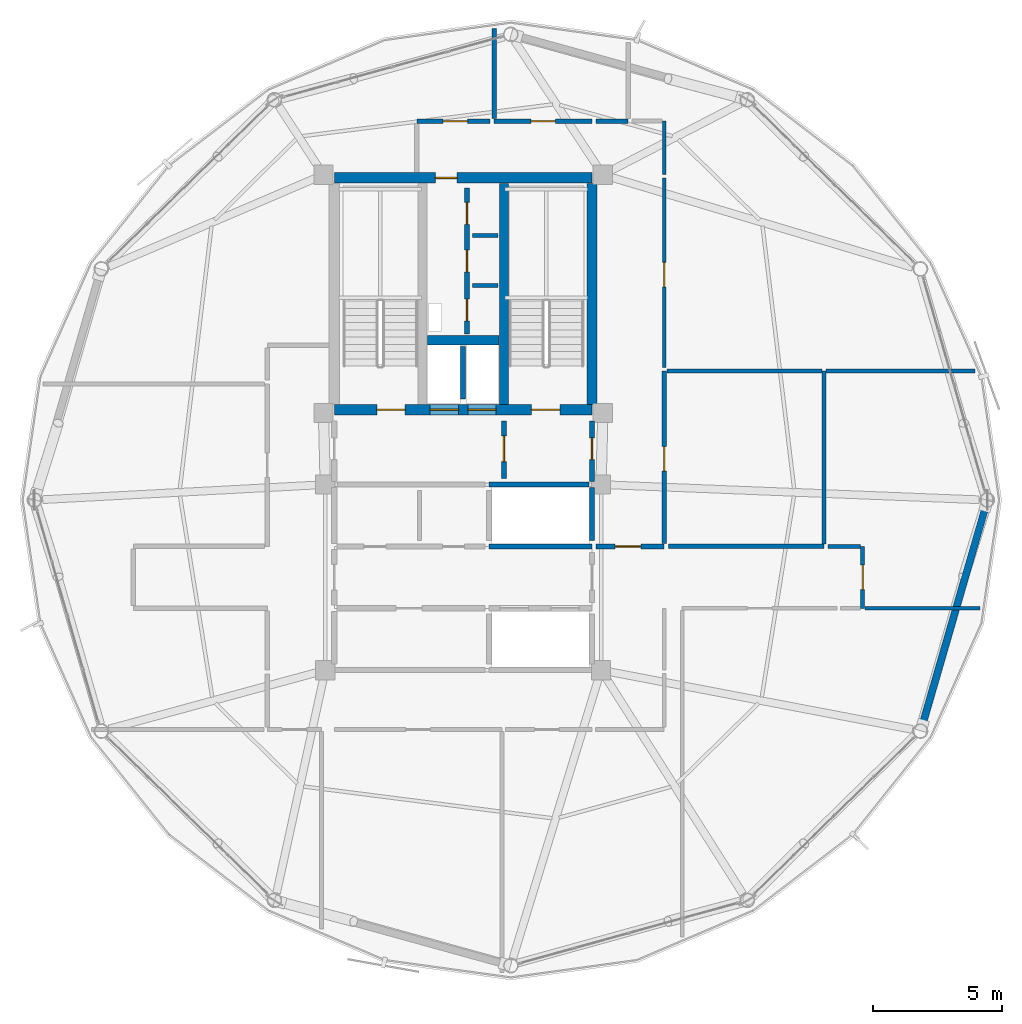
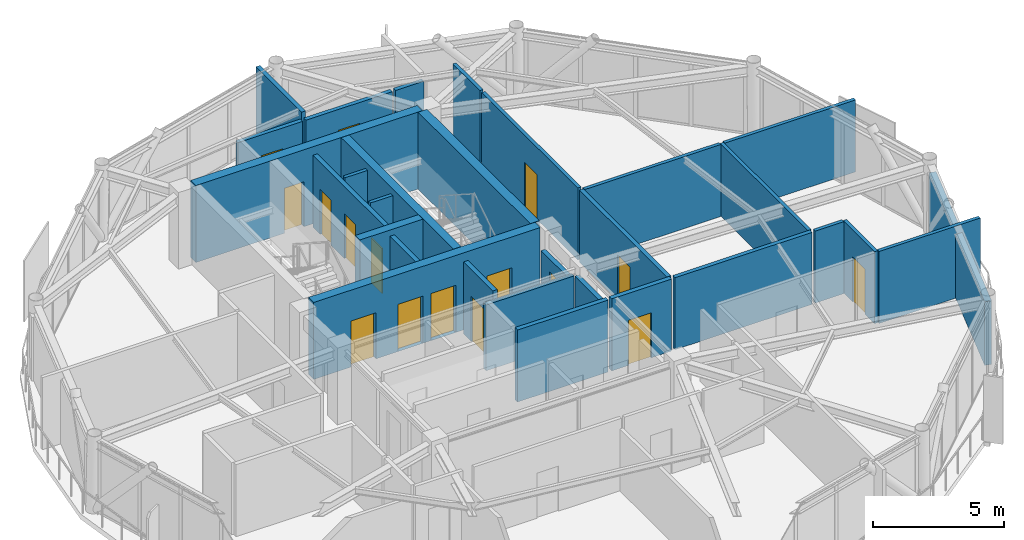
# One storey, part 23 of 27: 30 walls, 16 doors, 16 openings.
"""IFC4 building model written with IfcOpenShell, lengths in metres."""

from ifc_helpers import new_model, si_unit, direction, frame, frame_2d, origin, place, context, subcontext, project, spatial, rectangle, extrude, material, layer, layer_set, type_object, element, fill, save


model = new_model("IFC4")

# Units and contexts
model_context = context("Model", 3, precision=1e-05, world=origin(), true_north=direction((0.0, 1.0)))
body_context = subcontext(model_context, "Body", "Model", "MODEL_VIEW")
ifc_project = project(units=[si_unit("LENGTHUNIT", "METRE"), si_unit("AREAUNIT", "SQUARE_METRE"), si_unit("VOLUMEUNIT", "CUBIC_METRE"), si_unit("PLANEANGLEUNIT", "RADIAN"), si_unit("MASSUNIT", "GRAM", prefix="KILO")], contexts=[model_context])

# Site, building, storey
site_placement = place(None, origin())
site = spatial("IfcSite", under=ifc_project, at=site_placement, CompositionType="ELEMENT")
building_placement = place(site_placement, origin())
building = spatial("IfcBuilding", under=site, at=building_placement, Name="Varnakorn Sky Granary", CompositionType="ELEMENT")
storey_placement = place(building_placement, frame((0.0, 0.0, 249.0)))
storey = spatial("IfcBuildingStorey", under=building, at=storey_placement, Name="L63", CompositionType="ELEMENT", Elevation=249.0)

# Walls
ifc_material_1 = material(Name="Concrete C50/60", Category="concrete")
ifc_layer_1 = layer(ifc_material_1, 0.35009765625, Name="Concrete C50/60")
ifc_layer_set_1 = layer_set([ifc_layer_1], Name="Concrete C50/60")
wall_type_1 = type_object("IfcWallType", Name="WT-CW-INT-350", PredefinedType="SHEAR", material=ifc_layer_set_1)
wall_1_placement = place(storey_placement, frame((4.580078125, 3.7099609375, 0.0), z_axis=(0.0, 0.0, 1.0), x_axis=(0.0, 1.0, 0.0)))
element("IfcWall", 1, at=wall_1_placement, inside=storey, type_object=wall_type_1, Name="Stair ST-2 Core Wall L63", PredefinedType="SHEAR", context=body_context, shape_type="SweptSolid", body=[
    extrude(rectangle(XDim=8.580078125, YDim=0.35009765625, at=frame_2d((4.2900390625, 0.0))), origin(), (0.0, 0.0, 1.0), 3.592041015625),
])
wall_2_placement = place(storey_placement, frame((1.610107421875, 6.199951171875, 0.0), z_axis=(0.0, 0.0, 1.0), x_axis=(1.0, 0.0, 0.0)))
element("IfcWall", 2, at=wall_2_placement, inside=storey, type_object=wall_type_1, Name="Core Lift Shaft Cross Wall L63", PredefinedType="SHEAR", context=body_context, shape_type="SweptSolid", body=[
    extrude(rectangle(XDim=2.77978515625, YDim=0.35009765625, at=frame_2d((1.389892578125, 0.0))), origin(), (0.0, 0.0, 1.0), 3.592041015625),
])

# Wall, openings, doors
ifc_layer_2 = layer(ifc_material_1, 0.39990234375, Name="Concrete C50/60")
ifc_layer_set_2 = layer_set([ifc_layer_2], Name="Concrete C50/60")
wall_type_2 = type_object("IfcWallType", Name="WT-CW-SHEAR-400", PredefinedType="SHEAR", material=ifc_layer_set_2)
wall_3_placement = place(storey_placement, frame((-2.0, 3.5, 0.0), z_axis=(0.0, 0.0, 1.0), x_axis=(1.0, 0.0, 0.0)))
wall_3 = element("IfcWall", 3, at=wall_3_placement, inside=storey, type_object=wall_type_2, Name="Core South Shear Wall L63", PredefinedType="SHEAR", context=body_context, shape_type="SweptSolid", body=[
    extrude(rectangle(XDim=10.0, YDim=0.39990234375, at=frame_2d((5.0, 0.0))), origin(), (0.0, 0.0, 1.0), 3.592041015625),
])
opening_1_placement = place(wall_3_placement, frame((1.64990234375, 0.0, 0.0)))
opening_1 = element("IfcOpeningElement", 4, at=opening_1_placement, cuts=wall_3, Name="Opening FD-90", PredefinedType="OPENING", context=body_context, shape_type="SweptSolid", body=[
    extrude(rectangle(XDim=1.10009765625, YDim=2.14990234375, at=frame_2d((0.550048828125, 1.074951171875))), frame((0.0, 0.2099609375, 0.0), z_axis=(0.0, -1.0, 0.0), x_axis=(1.0, 0.0, 0.0)), (0.0, 0.0, 1.0), 0.419921875),
])
opening_2_placement = place(wall_3_placement, frame((7.64990234375, 0.0, 0.0)))
opening_2 = element("IfcOpeningElement", 5, at=opening_2_placement, cuts=wall_3, Name="Opening FD-90", PredefinedType="OPENING", context=body_context, shape_type="SweptSolid", body=[
    extrude(rectangle(XDim=1.10009765625, YDim=2.14990234375, at=frame_2d((0.550048828125, 1.074951171875))), frame((0.0, 0.2099609375, 0.0), z_axis=(0.0, -1.0, 0.0), x_axis=(1.0, 0.0, 0.0)), (0.0, 0.0, 1.0), 0.419921875),
])
opening_3_placement = place(wall_3_placement, frame((3.719970703125, 0.0, 0.0)))
opening_3 = element("IfcOpeningElement", 6, at=opening_3_placement, cuts=wall_3, Name="Opening LD-01", PredefinedType="OPENING", context=body_context, shape_type="SweptSolid", body=[
    extrude(rectangle(XDim=1.10009765625, YDim=2.199951171875, at=frame_2d((0.550048828125, 1.10009765625))), frame((0.0, 0.2099609375, 0.0), z_axis=(0.0, -1.0, 0.0), x_axis=(1.0, 0.0, 0.0)), (0.0, 0.0, 1.0), 0.419921875),
])
opening_4_placement = place(wall_3_placement, frame((5.179931640625, 0.0, 0.0)))
opening_4 = element("IfcOpeningElement", 7, at=opening_4_placement, cuts=wall_3, Name="Opening LD-01", PredefinedType="OPENING", context=body_context, shape_type="SweptSolid", body=[
    extrude(rectangle(XDim=1.10009765625, YDim=2.199951171875, at=frame_2d((0.550048828125, 1.10009765625))), frame((0.0, 0.2099609375, 0.0), z_axis=(0.0, -1.0, 0.0), x_axis=(1.0, 0.0, 0.0)), (0.0, 0.0, 1.0), 0.419921875),
])
ifc_material_2 = material(Name="Brushed Bronze Stainless Steel", Category="steel")
door_type_1 = type_object("IfcDoorType", Name="DR-LD-1100", OperationType="DOUBLE_DOOR_SLIDING", PredefinedType="DOOR", material=ifc_material_2)
door_1_placement = place(opening_3_placement, origin())
door_1 = element("IfcDoor", 8, at=door_1_placement, inside=storey, type_object=door_type_1, Name="Firefighting Lift FFL-1 Landing Door L63", OperationType="DOUBLE_DOOR_SLIDING", OverallHeight=2.199951171875, OverallWidth=1.10009765625, PredefinedType="DOOR", context=body_context, shape_type="SweptSolid", body=[
    extrude(rectangle(XDim=1.10009765625, YDim=2.199951171875, at=frame_2d((0.550048828125, 1.10009765625))), frame((0.0, 0.02490234375, 0.0), z_axis=(0.0, -1.0, 0.0), x_axis=(1.0, 0.0, 0.0)), (0.0, 0.0, 1.0), 0.050048828125),
])
fill(opening_3, door_1)
door_2_placement = place(opening_4_placement, origin())
door_2 = element("IfcDoor", 9, at=door_2_placement, inside=storey, type_object=door_type_1, Name="Firefighting Lift FFL-2 Landing Door L63", OperationType="DOUBLE_DOOR_SLIDING", OverallHeight=2.199951171875, OverallWidth=1.10009765625, PredefinedType="DOOR", context=body_context, shape_type="SweptSolid", body=[
    extrude(rectangle(XDim=1.10009765625, YDim=2.199951171875, at=frame_2d((0.550048828125, 1.10009765625))), frame((0.0, 0.02490234375, 0.0), z_axis=(0.0, -1.0, 0.0), x_axis=(1.0, 0.0, 0.0)), (0.0, 0.0, 1.0), 0.050048828125),
])
fill(opening_4, door_2)
ifc_material_3 = material(Name="Galvanised Painted Steel Leaf", Category="steel")
door_type_2 = type_object("IfcDoorType", Name="DR-STAIR-1100", OperationType="NOTDEFINED", PredefinedType="DOOR", material=ifc_material_3)
door_3_placement = place(opening_1_placement, origin())
door_3 = element("IfcDoor", 10, at=door_3_placement, inside=storey, type_object=door_type_2, Name="Stair ST-1 Protected Fire Door L63", OperationType="SINGLE_SWING_LEFT", OverallHeight=2.14990234375, OverallWidth=1.10009765625, PredefinedType="DOOR", context=body_context, shape_type="SweptSolid", body=[
    extrude(rectangle(XDim=1.10009765625, YDim=2.14990234375, at=frame_2d((0.550048828125, 1.074951171875))), frame((0.0, 0.02490234375, 0.0), z_axis=(0.0, -1.0, 0.0), x_axis=(1.0, 0.0, 0.0)), (0.0, 0.0, 1.0), 0.050048828125),
])
fill(opening_1, door_3)
door_4_placement = place(opening_2_placement, origin())
door_4 = element("IfcDoor", 11, at=door_4_placement, inside=storey, type_object=door_type_2, Name="Stair ST-2 Protected Fire Door L63", OperationType="SINGLE_SWING_RIGHT", OverallHeight=2.14990234375, OverallWidth=1.10009765625, PredefinedType="DOOR", context=body_context, shape_type="SweptSolid", body=[
    extrude(rectangle(XDim=1.10009765625, YDim=2.14990234375, at=frame_2d((0.550048828125, 1.074951171875))), frame((0.0, 0.02490234375, 0.0), z_axis=(0.0, -1.0, 0.0), x_axis=(1.0, 0.0, 0.0)), (0.0, 0.0, 1.0), 0.050048828125),
])
fill(opening_2, door_4)

# Wall, opening, door
wall_4_placement = place(storey_placement, frame((-2.0, 12.5, 0.0), z_axis=(0.0, 0.0, 1.0), x_axis=(1.0, 0.0, 0.0)))
wall_4 = element("IfcWall", 12, at=wall_4_placement, inside=storey, type_object=wall_type_2, Name="Core North Shear Wall L63", PredefinedType="SHEAR", context=body_context, shape_type="SweptSolid", body=[
    extrude(rectangle(XDim=10.0, YDim=0.39990234375, at=frame_2d((5.0, 0.0))), origin(), (0.0, 0.0, 1.0), 3.592041015625),
])
opening_5_placement = place(wall_4_placement, frame((3.919921875, 0.0, 0.0)))
opening_5 = element("IfcOpeningElement", 13, at=opening_5_placement, cuts=wall_4, Name="Opening FD-60N", PredefinedType="OPENING", context=body_context, shape_type="SweptSolid", body=[
    extrude(rectangle(XDim=0.85009765625, YDim=2.10009765625, at=frame_2d((0.425048828125, 1.050048828125))), frame((0.0, 0.2099609375, 0.0), z_axis=(0.0, -1.0, 0.0), x_axis=(1.0, 0.0, 0.0)), (0.0, 0.0, 1.0), 0.419921875),
])
ifc_material_4 = material(Name="Acoustic Timber Fire Leaf", Category="wood")
door_type_3 = type_object("IfcDoorType", Name="DR-FD60-850", OperationType="NOTDEFINED", PredefinedType="DOOR", material=ifc_material_4)
door_5_placement = place(opening_5_placement, origin())
door_5 = element("IfcDoor", 14, at=door_5_placement, inside=storey, type_object=door_type_3, Name="Core North Service Door L63", OperationType="SINGLE_SWING_LEFT", OverallHeight=2.10009765625, OverallWidth=0.85009765625, PredefinedType="DOOR", context=body_context, shape_type="SweptSolid", body=[
    extrude(rectangle(XDim=0.85009765625, YDim=2.10009765625, at=frame_2d((0.425048828125, 1.050048828125))), frame((0.0, 0.02490234375, 0.0), z_axis=(0.0, -1.0, 0.0), x_axis=(1.0, 0.0, 0.0)), (0.0, 0.0, 1.0), 0.050048828125),
])
fill(opening_5, door_5)

# Walls
wall_5_placement = place(storey_placement, frame((8.0, 3.7099609375, 0.0), z_axis=(0.0, 0.0, 1.0), x_axis=(0.0, 1.0, 0.0)))
element("IfcWall", 15, at=wall_5_placement, inside=storey, type_object=wall_type_2, Name="Core East Shear Wall L63", PredefinedType="SHEAR", context=body_context, shape_type="SweptSolid", body=[
    extrude(rectangle(XDim=8.580078125, YDim=0.39990234375, at=frame_2d((4.2900390625, 0.0))), origin(), (0.0, 0.0, 1.0), 3.592041015625),
])
ifc_material_5 = material(Name="Precast concrete C40/50", Category="concrete")
ifc_layer_3 = layer(ifc_material_5, 0.280029296875, Name="Precast concrete C40/50")
ifc_layer_set_3 = layer_set([ifc_layer_3], Name="Precast concrete C40/50")
wall_type_3 = type_object("IfcWallType", Name="WT-EW-CRN-280", PredefinedType="SOLIDWALL", material=ifc_layer_set_3)
wall_6_placement = place(storey_placement, frame((23.27978515625, -0.225341796875, 0.0), z_axis=(0.0, 0.0, 1.0), x_axis=(-0.277904986199, -0.960608566819, 0.0)))
element("IfcWall", 16, at=wall_6_placement, inside=storey, type_object=wall_type_3, Name="Agritech Insulated Precast Facade Wall L63-P12", PredefinedType="SOLIDWALL", context=body_context, shape_type="SweptSolid", body=[
    extrude(rectangle(XDim=8.86767578125, YDim=0.280029296875, at=frame_2d((4.433837890625, 0.0))), origin(), (0.0, 0.0, 1.0), 2.969970703125),
])

# Wall, openings, doors
ifc_material_6 = material(Name="Autoclaved Aerated Concrete Blockwork", Category="masonry")
ifc_layer_4 = layer(ifc_material_6, 0.199951171875, Name="Autoclaved Aerated Concrete Blockwork")
ifc_layer_set_4 = layer_set([ifc_layer_4], Name="Autoclaved Aerated Concrete Blockwork")
wall_type_4 = type_object("IfcWallType", Name="WT-FIRE-200", PredefinedType="MOVABLE", material=ifc_layer_set_4)
wall_7_placement = place(storey_placement, frame((3.14990234375, 6.449951171875, 0.0), z_axis=(0.0, 0.0, 1.0), x_axis=(0.0, 1.0, 0.0)))
wall_7 = element("IfcWall", 17, at=wall_7_placement, inside=storey, type_object=wall_type_4, Name="Interior Partition Wall L63-010", PredefinedType="MOVABLE", context=body_context, shape_type="SweptSolid", body=[
    extrude(rectangle(XDim=5.650146484375, YDim=0.199951171875, at=frame_2d((2.8251953125, 0.0))), origin(), (0.0, 0.0, 1.0), 3.360107421875),
])
opening_6_placement = place(wall_7_placement, frame((0.5, 0.0, 0.0)))
opening_6 = element("IfcOpeningElement", 18, at=opening_6_placement, cuts=wall_7, Name="Opening FD-60N", PredefinedType="OPENING", context=body_context, shape_type="SweptSolid", body=[
    extrude(rectangle(XDim=0.85009765625, YDim=2.10009765625, at=frame_2d((0.425048828125, 1.050048828125))), frame((0.0, 0.10986328125, 0.0), z_axis=(0.0, -1.0, 0.0), x_axis=(1.0, 0.0, 0.0)), (0.0, 0.0, 1.0), 0.219970703125),
])
opening_7_placement = place(wall_7_placement, frame((2.39990234375, 0.0, 0.0)))
opening_7 = element("IfcOpeningElement", 19, at=opening_7_placement, cuts=wall_7, Name="Opening FD-60N", PredefinedType="OPENING", context=body_context, shape_type="SweptSolid", body=[
    extrude(rectangle(XDim=0.85009765625, YDim=2.10009765625, at=frame_2d((0.425048828125, 1.050048828125))), frame((0.0, 0.10986328125, 0.0), z_axis=(0.0, -1.0, 0.0), x_axis=(1.0, 0.0, 0.0)), (0.0, 0.0, 1.0), 0.219970703125),
])
opening_8_placement = place(wall_7_placement, frame((4.25, 0.0, 0.0)))
opening_8 = element("IfcOpeningElement", 20, at=opening_8_placement, cuts=wall_7, Name="Opening FD-60N", PredefinedType="OPENING", context=body_context, shape_type="SweptSolid", body=[
    extrude(rectangle(XDim=0.85009765625, YDim=2.10009765625, at=frame_2d((0.425048828125, 1.050048828125))), frame((0.0, 0.10986328125, 0.0), z_axis=(0.0, -1.0, 0.0), x_axis=(1.0, 0.0, 0.0)), (0.0, 0.0, 1.0), 0.219970703125),
])
door_6_placement = place(opening_6_placement, origin())
door_6 = element("IfcDoor", 21, at=door_6_placement, inside=storey, type_object=door_type_3, Name="Interior Door L63-010-1", OperationType="SINGLE_SWING_RIGHT", OverallHeight=2.10009765625, OverallWidth=0.85009765625, PredefinedType="DOOR", context=body_context, shape_type="SweptSolid", body=[
    extrude(rectangle(XDim=0.85009765625, YDim=2.10009765625, at=frame_2d((0.425048828125, 1.050048828125))), frame((0.0, 0.02490234375, 0.0), z_axis=(0.0, -1.0, 0.0), x_axis=(1.0, 0.0, 0.0)), (0.0, 0.0, 1.0), 0.050048828125),
])
fill(opening_6, door_6)
door_7_placement = place(opening_7_placement, origin())
door_7 = element("IfcDoor", 22, at=door_7_placement, inside=storey, type_object=door_type_3, Name="Interior Door L63-010-2", OperationType="SINGLE_SWING_LEFT", OverallHeight=2.10009765625, OverallWidth=0.85009765625, PredefinedType="DOOR", context=body_context, shape_type="SweptSolid", body=[
    extrude(rectangle(XDim=0.85009765625, YDim=2.10009765625, at=frame_2d((0.425048828125, 1.050048828125))), frame((0.0, 0.02490234375, 0.0), z_axis=(0.0, -1.0, 0.0), x_axis=(1.0, 0.0, 0.0)), (0.0, 0.0, 1.0), 0.050048828125),
])
fill(opening_7, door_7)
door_8_placement = place(opening_8_placement, origin())
door_8 = element("IfcDoor", 23, at=door_8_placement, inside=storey, type_object=door_type_3, Name="Interior Door L63-010-3", OperationType="SINGLE_SWING_RIGHT", OverallHeight=2.10009765625, OverallWidth=0.85009765625, PredefinedType="DOOR", context=body_context, shape_type="SweptSolid", body=[
    extrude(rectangle(XDim=0.85009765625, YDim=2.10009765625, at=frame_2d((0.425048828125, 1.050048828125))), frame((0.0, 0.02490234375, 0.0), z_axis=(0.0, -1.0, 0.0), x_axis=(1.0, 0.0, 0.0)), (0.0, 0.0, 1.0), 0.050048828125),
])
fill(opening_8, door_8)

# Wall, opening, door
wall_8_placement = place(storey_placement, frame((4.580078125, 0.830078125, 0.0), z_axis=(0.0, 0.0, 1.0), x_axis=(0.0, 1.0, 0.0)))
wall_8 = element("IfcWall", 24, at=wall_8_placement, inside=storey, type_object=wall_type_4, Name="Interior Partition Wall L63-011", PredefinedType="MOVABLE", context=body_context, shape_type="SweptSolid", body=[
    extrude(rectangle(XDim=2.239990234375, YDim=0.199951171875, at=frame_2d((1.1201171875, 0.0))), origin(), (0.0, 0.0, 1.0), 3.360107421875),
])
opening_9_placement = place(wall_8_placement, frame((0.659912109375, 0.0, 0.0)))
opening_9 = element("IfcOpeningElement", 25, at=opening_9_placement, cuts=wall_8, Name="Opening FD-60", PredefinedType="OPENING", context=body_context, shape_type="SweptSolid", body=[
    extrude(rectangle(XDim=1.0, YDim=2.10009765625, at=frame_2d((0.5, 1.050048828125))), frame((0.0, 0.10986328125, 0.0), z_axis=(0.0, -1.0, 0.0), x_axis=(1.0, 0.0, 0.0)), (0.0, 0.0, 1.0), 0.219970703125),
])
door_type_4 = type_object("IfcDoorType", Name="DR-FD60-1000", OperationType="NOTDEFINED", PredefinedType="DOOR", material=ifc_material_4)
door_9_placement = place(opening_9_placement, origin())
door_9 = element("IfcDoor", 26, at=door_9_placement, inside=storey, type_object=door_type_4, Name="Interior Door L63-011-1", OperationType="SINGLE_SWING_LEFT", OverallHeight=2.10009765625, OverallWidth=1.0, PredefinedType="DOOR", context=body_context, shape_type="SweptSolid", body=[
    extrude(rectangle(XDim=1.0, YDim=2.10009765625, at=frame_2d((0.5, 1.050048828125))), frame((0.0, 0.02490234375, 0.0), z_axis=(0.0, -1.0, 0.0), x_axis=(1.0, 0.0, 0.0)), (0.0, 0.0, 1.0), 0.050048828125),
])
fill(opening_9, door_9)

wall_9_placement = place(storey_placement, frame((8.0, 0.719970703125, 0.0), z_axis=(0.0, 0.0, 1.0), x_axis=(0.0, 1.0, 0.0)))
wall_9 = element("IfcWall", 27, at=wall_9_placement, inside=storey, type_object=wall_type_4, Name="Interior Partition Wall L63-013", PredefinedType="MOVABLE", context=body_context, shape_type="SweptSolid", body=[
    extrude(rectangle(XDim=2.35009765625, YDim=0.199951171875, at=frame_2d((1.175048828125, 0.0))), origin(), (0.0, 0.0, 1.0), 2.69189453125),
])
opening_10_placement = place(wall_9_placement, frame((0.844970703125, 0.0, 0.0)))
opening_10 = element("IfcOpeningElement", 28, at=opening_10_placement, cuts=wall_9, Name="Opening FD-60N", PredefinedType="OPENING", context=body_context, shape_type="SweptSolid", body=[
    extrude(rectangle(XDim=0.85009765625, YDim=2.10009765625, at=frame_2d((0.425048828125, 1.050048828125))), frame((0.0, 0.10986328125, 0.0), z_axis=(0.0, -1.0, 0.0), x_axis=(1.0, 0.0, 0.0)), (0.0, 0.0, 1.0), 0.219970703125),
])
door_10_placement = place(opening_10_placement, origin())
door_10 = element("IfcDoor", 29, at=door_10_placement, inside=storey, type_object=door_type_3, Name="Interior Door L63-013-1", OperationType="SINGLE_SWING_LEFT", OverallHeight=2.10009765625, OverallWidth=0.85009765625, PredefinedType="DOOR", context=body_context, shape_type="SweptSolid", body=[
    extrude(rectangle(XDim=0.85009765625, YDim=2.10009765625, at=frame_2d((0.425048828125, 1.050048828125))), frame((0.0, 0.02490234375, 0.0), z_axis=(0.0, -1.0, 0.0), x_axis=(1.0, 0.0, 0.0)), (0.0, 0.0, 1.0), 0.050048828125),
])
fill(opening_10, door_10)

wall_10_placement = place(storey_placement, frame((8.159912109375, -1.800048828125, 0.0), z_axis=(0.0, 0.0, 1.0), x_axis=(1.0, 0.0, 0.0)))
wall_10 = element("IfcWall", 30, at=wall_10_placement, inside=storey, type_object=wall_type_4, Name="Interior Partition Wall L63-018", PredefinedType="MOVABLE", context=body_context, shape_type="SweptSolid", body=[
    extrude(rectangle(XDim=2.64013671875, YDim=0.199951171875, at=frame_2d((1.320068359375, 0.0))), origin(), (0.0, 0.0, 1.0), 3.360107421875),
])
opening_11_placement = place(wall_10_placement, frame((0.739990234375, 0.0, 0.0)))
opening_11 = element("IfcOpeningElement", 31, at=opening_11_placement, cuts=wall_10, Name="Opening FD-60", PredefinedType="OPENING", context=body_context, shape_type="SweptSolid", body=[
    extrude(rectangle(XDim=1.0, YDim=2.10009765625, at=frame_2d((0.5, 1.050048828125))), frame((0.0, 0.10986328125, 0.0), z_axis=(0.0, -1.0, 0.0), x_axis=(1.0, 0.0, 0.0)), (0.0, 0.0, 1.0), 0.219970703125),
])
door_11_placement = place(opening_11_placement, origin())
door_11 = element("IfcDoor", 32, at=door_11_placement, inside=storey, type_object=door_type_4, Name="Interior Door L63-018-1", OperationType="SINGLE_SWING_LEFT", OverallHeight=2.10009765625, OverallWidth=1.0, PredefinedType="DOOR", context=body_context, shape_type="SweptSolid", body=[
    extrude(rectangle(XDim=1.0, YDim=2.10009765625, at=frame_2d((0.5, 1.050048828125))), frame((0.0, 0.02490234375, 0.0), z_axis=(0.0, -1.0, 0.0), x_axis=(1.0, 0.0, 0.0)), (0.0, 0.0, 1.0), 0.050048828125),
])
fill(opening_11, door_11)

ifc_material_7 = material(Name="Gypsum Plasterboard on Steel Stud", Category="steel")
ifc_layer_5 = layer(ifc_material_7, 0.14990234375, Name="Gypsum Plasterboard on Steel Stud")
ifc_layer_set_5 = layer_set([ifc_layer_5], Name="Gypsum Plasterboard on Steel Stud")
wall_type_5 = type_object("IfcWallType", Name="WT-PART-150", PredefinedType="PARTITIONING", material=ifc_layer_set_5)
wall_11_placement = place(storey_placement, frame((18.5, -4.199951171875, 0.0), z_axis=(0.0, 0.0, 1.0), x_axis=(0.0, 1.0, 0.0)))
wall_11 = element("IfcWall", 33, at=wall_11_placement, inside=storey, type_object=wall_type_5, Name="Interior Partition Wall L63-027", PredefinedType="PARTITIONING", context=body_context, shape_type="SweptSolid", body=[
    extrude(rectangle(XDim=2.39990234375, YDim=0.14990234375, at=frame_2d((1.199951171875, 0.0))), origin(), (0.0, 0.0, 1.0), 3.360107421875),
])
opening_12_placement = place(wall_11_placement, frame((0.72509765625, 0.0, 0.0)))
opening_12 = element("IfcOpeningElement", 34, at=opening_12_placement, cuts=wall_11, Name="Opening ID-95", PredefinedType="OPENING", context=body_context, shape_type="SweptSolid", body=[
    extrude(rectangle(XDim=0.949951171875, YDim=2.10009765625, at=frame_2d((0.47509765625, 1.050048828125))), frame((0.0, 0.0849609375, 0.0), z_axis=(0.0, -1.0, 0.0), x_axis=(1.0, 0.0, 0.0)), (0.0, 0.0, 1.0), 0.169921875),
])
ifc_material_8 = material(Name="Solid-Core Teak Veneer Leaf", Category="timber")
door_type_5 = type_object("IfcDoorType", Name="DR-INT-950", OperationType="NOTDEFINED", PredefinedType="DOOR", material=ifc_material_8)
door_12_placement = place(opening_12_placement, origin())
door_12 = element("IfcDoor", 35, at=door_12_placement, inside=storey, type_object=door_type_5, Name="Interior Door L63-027-1", OperationType="SINGLE_SWING_RIGHT", OverallHeight=2.10009765625, OverallWidth=0.949951171875, PredefinedType="DOOR", context=body_context, shape_type="SweptSolid", body=[
    extrude(rectangle(XDim=0.949951171875, YDim=2.10009765625, at=frame_2d((0.47509765625, 1.050048828125))), frame((0.0, 0.02490234375, 0.0), z_axis=(0.0, -1.0, 0.0), x_axis=(1.0, 0.0, 0.0)), (0.0, 0.0, 1.0), 0.050048828125),
])
fill(opening_12, door_12)

wall_12_placement = place(storey_placement, frame((10.800048828125, 5.14990234375, 0.0), z_axis=(0.0, 0.0, 1.0), x_axis=(0.0, 1.0, 0.0)))
wall_12 = element("IfcWall", 36, at=wall_12_placement, inside=storey, type_object=wall_type_5, Name="Interior Partition Wall L63-028", PredefinedType="PARTITIONING", context=body_context, shape_type="SweptSolid", body=[
    extrude(rectangle(XDim=7.35009765625, YDim=0.14990234375, at=frame_2d((3.675048828125, 0.0))), origin(), (0.0, 0.0, 1.0), 3.360107421875),
])
opening_13_placement = place(wall_12_placement, frame((3.125, 0.0, 0.0)))
opening_13 = element("IfcOpeningElement", 37, at=opening_13_placement, cuts=wall_12, Name="Opening ID-95", PredefinedType="OPENING", context=body_context, shape_type="SweptSolid", body=[
    extrude(rectangle(XDim=0.949951171875, YDim=2.10009765625, at=frame_2d((0.47509765625, 1.050048828125))), frame((0.0, 0.0849609375, 0.0), z_axis=(0.0, -1.0, 0.0), x_axis=(1.0, 0.0, 0.0)), (0.0, 0.0, 1.0), 0.169921875),
])
door_13_placement = place(opening_13_placement, origin())
door_13 = element("IfcDoor", 38, at=door_13_placement, inside=storey, type_object=door_type_5, Name="Interior Door L63-028-1", OperationType="SINGLE_SWING_LEFT", OverallHeight=2.10009765625, OverallWidth=0.949951171875, PredefinedType="DOOR", context=body_context, shape_type="SweptSolid", body=[
    extrude(rectangle(XDim=0.949951171875, YDim=2.10009765625, at=frame_2d((0.47509765625, 1.050048828125))), frame((0.0, 0.02490234375, 0.0), z_axis=(0.0, -1.0, 0.0), x_axis=(1.0, 0.0, 0.0)), (0.0, 0.0, 1.0), 0.050048828125),
])
fill(opening_13, door_13)

# Walls
for number, where, z_axis, x_axis, name in (
    (39, (3.3701171875, 8.320068359375, 0.0), (0.0, 0.0, 1.0), (1.0, 0.0, 0.0), "Interior Partition Wall L63-029"),
    (40, (3.3701171875, 10.260009765625, 0.0), (0.0, 0.0, 1.0), (1.0, 0.0, 0.0), "Interior Partition Wall L63-030"),
):
    element("IfcWall", number, at=place(storey_placement, frame(where, z_axis=z_axis, x_axis=x_axis)), inside=storey, type_object=wall_type_5, Name=name, PredefinedType="PARTITIONING", context=body_context, shape_type="SweptSolid", body=[
        extrude(rectangle(XDim=0.97998046875, YDim=0.14990234375, at=frame_2d((0.489990234375, 0.0))), origin(), (0.0, 0.0, 1.0), 3.360107421875),
    ])
wall_13_placement = place(storey_placement, frame((18.5849609375, -4.199951171875, 0.0), z_axis=(0.0, 0.0, 1.0), x_axis=(1.0, 0.0, 0.0)))
element("IfcWall", 41, at=wall_13_placement, inside=storey, type_object=wall_type_5, Name="Interior Partition Wall L63-045", PredefinedType="PARTITIONING", context=body_context, shape_type="SweptSolid", body=[
    extrude(rectangle(XDim=4.465087890625, YDim=0.14990234375, at=frame_2d((2.232421875, 0.0))), origin(), (0.0, 0.0, 1.0), 3.360107421875),
])
wall_14_placement = place(storey_placement, frame((17.0, 5.0, 0.0), z_axis=(0.0, 0.0, 1.0), x_axis=(0.0, -1.0, 0.0)))
element("IfcWall", 42, at=wall_14_placement, inside=storey, type_object=wall_type_5, Name="Interior Partition Wall L63-057", PredefinedType="PARTITIONING", context=body_context, shape_type="SweptSolid", body=[
    extrude(rectangle(XDim=6.699951171875, YDim=0.14990234375, at=frame_2d((3.35009765625, 0.0))), origin(), (0.0, 0.0, 1.0), 3.360107421875),
])
wall_15_placement = place(storey_placement, frame((10.89990234375, 5.0, 0.0), z_axis=(0.0, 0.0, 1.0), x_axis=(1.0, 0.0, 0.0)))
element("IfcWall", 43, at=wall_15_placement, inside=storey, type_object=wall_type_5, Name="Interior Partition Wall L63-058", PredefinedType="PARTITIONING", context=body_context, shape_type="SweptSolid", body=[
    extrude(rectangle(XDim=6.01513671875, YDim=0.14990234375, at=frame_2d((3.007568359375, 0.0))), origin(), (0.0, 0.0, 1.0), 3.360107421875),
])
wall_16_placement = place(storey_placement, frame((18.4150390625, -1.800048828125, 0.0), z_axis=(0.0, 0.0, 1.0), x_axis=(-1.0, 0.0, 0.0)))
element("IfcWall", 44, at=wall_16_placement, inside=storey, type_object=wall_type_5, Name="Interior Partition Wall L63-059", PredefinedType="PARTITIONING", context=body_context, shape_type="SweptSolid", body=[
    extrude(rectangle(XDim=1.26513671875, YDim=0.14990234375, at=frame_2d((0.632568359375, 0.0))), origin(), (0.0, 0.0, 1.0), 3.360107421875),
])
wall_17_placement = place(storey_placement, frame((17.0849609375, 5.0, 0.0), z_axis=(0.0, 0.0, 1.0), x_axis=(1.0, 0.0, 0.0)))
element("IfcWall", 45, at=wall_17_placement, inside=storey, type_object=wall_type_5, Name="Interior Partition Wall L63-060", PredefinedType="PARTITIONING", context=body_context, shape_type="SweptSolid", body=[
    extrude(rectangle(XDim=5.77294921875, YDim=0.14990234375, at=frame_2d((2.886474609375, 0.0))), origin(), (0.0, 0.0, 1.0), 3.360107421875),
])
wall_18_placement = place(storey_placement, frame((10.800048828125, 12.635009765625, 0.0), z_axis=(0.0, 0.0, 1.0), x_axis=(0.0, 1.0, 0.0)))
element("IfcWall", 46, at=wall_18_placement, inside=storey, type_object=wall_type_5, Name="Interior Partition Wall L63-061", PredefinedType="PARTITIONING", context=body_context, shape_type="SweptSolid", body=[
    extrude(rectangle(XDim=2.06494140625, YDim=0.14990234375, at=frame_2d((1.032470703125, 0.0))), origin(), (0.0, 0.0, 1.0), 3.360107421875),
])

# Wall, opening, door
ifc_material_9 = material(Name="Moisture-Resistant Gypsum on Stud", Category="gypsum")
ifc_layer_6 = layer(ifc_material_9, 0.179931640625, Name="Moisture-Resistant Gypsum on Stud")
ifc_layer_set_6 = layer_set([ifc_layer_6], Name="Moisture-Resistant Gypsum on Stud")
wall_type_6 = type_object("IfcWallType", Name="WT-PLUMB-180", PredefinedType="PLUMBINGWALL", material=ifc_layer_set_6)
wall_19_placement = place(storey_placement, frame((8.0, 14.699951171875, 0.0), z_axis=(0.0, 0.0, 1.0), x_axis=(-1.0, 0.0, 0.0)))
wall_19 = element("IfcWall", 47, at=wall_19_placement, inside=storey, type_object=wall_type_6, Name="Interior Partition Wall L63-019", PredefinedType="PLUMBINGWALL", context=body_context, shape_type="SweptSolid", body=[
    extrude(rectangle(XDim=3.800048828125, YDim=0.179931640625, at=frame_2d((1.89990234375, 0.0))), origin(), (0.0, 0.0, 1.0), 3.072021484375),
])
opening_14_placement = place(wall_19_placement, frame((1.425048828125, 0.0, 0.0)))
opening_14 = element("IfcOpeningElement", 48, at=opening_14_placement, cuts=wall_19, Name="Opening ID-95", PredefinedType="OPENING", context=body_context, shape_type="SweptSolid", body=[
    extrude(rectangle(XDim=0.949951171875, YDim=2.10009765625, at=frame_2d((0.47509765625, 1.050048828125))), frame((0.0, 0.10009765625, 0.0), z_axis=(0.0, -1.0, 0.0), x_axis=(1.0, 0.0, 0.0)), (0.0, 0.0, 1.0), 0.199951171875),
])
door_14_placement = place(opening_14_placement, origin())
door_14 = element("IfcDoor", 49, at=door_14_placement, inside=storey, type_object=door_type_5, Name="Interior Door L63-019-1", OperationType="SINGLE_SWING_RIGHT", OverallHeight=2.10009765625, OverallWidth=0.949951171875, PredefinedType="DOOR", context=body_context, shape_type="SweptSolid", body=[
    extrude(rectangle(XDim=0.949951171875, YDim=2.10009765625, at=frame_2d((0.47509765625, 1.050048828125))), frame((0.0, 0.02490234375, 0.0), z_axis=(0.0, -1.0, 0.0), x_axis=(1.0, 0.0, 0.0)), (0.0, 0.0, 1.0), 0.050048828125),
])
fill(opening_14, door_14)

wall_20_placement = place(storey_placement, frame((4.050048828125, 14.699951171875, 0.0), z_axis=(0.0, 0.0, 1.0), x_axis=(-1.0, 0.0, 0.0)))
wall_20 = element("IfcWall", 50, at=wall_20_placement, inside=storey, type_object=wall_type_6, Name="Interior Partition Wall L63-025", PredefinedType="PLUMBINGWALL", context=body_context, shape_type="SweptSolid", body=[
    extrude(rectangle(XDim=2.85009765625, YDim=0.179931640625, at=frame_2d((1.425048828125, 0.0))), origin(), (0.0, 0.0, 1.0), 3.072021484375),
])
opening_15_placement = place(wall_20_placement, frame((0.875, 0.0, 0.0)))
opening_15 = element("IfcOpeningElement", 51, at=opening_15_placement, cuts=wall_20, Name="Opening ID-95", PredefinedType="OPENING", context=body_context, shape_type="SweptSolid", body=[
    extrude(rectangle(XDim=0.949951171875, YDim=2.10009765625, at=frame_2d((0.47509765625, 1.050048828125))), frame((0.0, 0.10009765625, 0.0), z_axis=(0.0, -1.0, 0.0), x_axis=(1.0, 0.0, 0.0)), (0.0, 0.0, 1.0), 0.199951171875),
])
door_15_placement = place(opening_15_placement, origin())
door_15 = element("IfcDoor", 52, at=door_15_placement, inside=storey, type_object=door_type_5, Name="Interior Door L63-025-1", OperationType="SINGLE_SWING_RIGHT", OverallHeight=2.10009765625, OverallWidth=0.949951171875, PredefinedType="DOOR", context=body_context, shape_type="SweptSolid", body=[
    extrude(rectangle(XDim=0.949951171875, YDim=2.10009765625, at=frame_2d((0.47509765625, 1.050048828125))), frame((0.0, 0.02490234375, 0.0), z_axis=(0.0, -1.0, 0.0), x_axis=(1.0, 0.0, 0.0)), (0.0, 0.0, 1.0), 0.050048828125),
])
fill(opening_15, door_15)

wall_21_placement = place(storey_placement, frame((10.800048828125, -1.68994140625, 0.0), z_axis=(0.0, 0.0, 1.0), x_axis=(0.0, 1.0, 0.0)))
wall_21 = element("IfcWall", 53, at=wall_21_placement, inside=storey, type_object=wall_type_6, Name="Interior Partition Wall L63-026", PredefinedType="PLUMBINGWALL", context=body_context, shape_type="SweptSolid", body=[
    extrude(rectangle(XDim=6.68994140625, YDim=0.179931640625, at=frame_2d((3.344970703125, 0.0))), origin(), (0.0, 0.0, 1.0), 3.360107421875),
])
opening_16_placement = place(wall_21_placement, frame((2.81494140625, 0.0, 0.0)))
opening_16 = element("IfcOpeningElement", 54, at=opening_16_placement, cuts=wall_21, Name="Opening ID-95", PredefinedType="OPENING", context=body_context, shape_type="SweptSolid", body=[
    extrude(rectangle(XDim=0.949951171875, YDim=2.10009765625, at=frame_2d((0.47509765625, 1.050048828125))), frame((0.0, 0.10009765625, 0.0), z_axis=(0.0, -1.0, 0.0), x_axis=(1.0, 0.0, 0.0)), (0.0, 0.0, 1.0), 0.199951171875),
])
door_16_placement = place(opening_16_placement, origin())
door_16 = element("IfcDoor", 55, at=door_16_placement, inside=storey, type_object=door_type_5, Name="Interior Door L63-026-1", OperationType="SINGLE_SWING_LEFT", OverallHeight=2.10009765625, OverallWidth=0.949951171875, PredefinedType="DOOR", context=body_context, shape_type="SweptSolid", body=[
    extrude(rectangle(XDim=0.949951171875, YDim=2.10009765625, at=frame_2d((0.47509765625, 1.050048828125))), frame((0.0, 0.02490234375, 0.0), z_axis=(0.0, -1.0, 0.0), x_axis=(1.0, 0.0, 0.0)), (0.0, 0.0, 1.0), 0.050048828125),
])
fill(opening_16, door_16)

# Walls
wall_22_placement = place(storey_placement, frame((9.39990234375, 14.699951171875, 0.0), z_axis=(0.0, 0.0, 1.0), x_axis=(-1.0, 0.0, 0.0)))
element("IfcWall", 56, at=wall_22_placement, inside=storey, type_object=wall_type_6, Name="Interior Partition Wall L63-036", PredefinedType="PLUMBINGWALL", context=body_context, shape_type="SweptSolid", body=[
    extrude(rectangle(XDim=1.25, YDim=0.179931640625, at=frame_2d((0.625, 0.0))), origin(), (0.0, 0.0, 1.0), 3.072021484375),
])
wall_23_placement = place(storey_placement, frame((4.199951171875, 18.29296875, 0.0), z_axis=(0.0, 0.0, 1.0), x_axis=(0.0, -1.0, 0.0)))
element("IfcWall", 57, at=wall_23_placement, inside=storey, type_object=wall_type_6, Name="Interior Partition Wall L63-055", PredefinedType="PLUMBINGWALL", context=body_context, shape_type="SweptSolid", body=[
    extrude(rectangle(XDim=3.492919921875, YDim=0.179931640625, at=frame_2d((1.74658203125, 0.0))), origin(), (0.0, 0.0, 1.0), 3.360107421875),
])
wall_24_placement = place(storey_placement, frame((17.0, -1.800048828125, 0.0), z_axis=(0.0, 0.0, 1.0), x_axis=(-1.0, 0.0, 0.0)))
element("IfcWall", 58, at=wall_24_placement, inside=storey, type_object=wall_type_6, Name="Interior Partition Wall L63-056", PredefinedType="PLUMBINGWALL", context=body_context, shape_type="SweptSolid", body=[
    extrude(rectangle(XDim=6.0400390625, YDim=0.179931640625, at=frame_2d((3.02001953125, 0.0))), origin(), (0.0, 0.0, 1.0), 3.360107421875),
])
ifc_layer_7 = layer(ifc_material_6, 0.199951171875, Name="Autoclaved Aerated Concrete Blockwork")
ifc_layer_set_7 = layer_set([ifc_layer_7], Name="Autoclaved Aerated Concrete Blockwork")
wall_type_7 = type_object("IfcWallType", Name="WT-SHAFT-200", PredefinedType="SOLIDWALL", material=ifc_layer_set_7)
wall_25_placement = place(storey_placement, frame((3.0, 3.919921875, 0.0), z_axis=(0.0, 0.0, 1.0), x_axis=(0.0, 1.0, 0.0)))
element("IfcWall", 59, at=wall_25_placement, inside=storey, type_object=wall_type_7, Name="Interior Partition Wall L63-001", PredefinedType="SOLIDWALL", context=body_context, shape_type="SweptSolid", body=[
    extrude(rectangle(XDim=2.030029296875, YDim=0.199951171875, at=frame_2d((1.01513671875, 0.0))), origin(), (0.0, 0.0, 1.0), 3.360107421875),
])
wall_26_placement = place(storey_placement, frame((4.0, 0.60009765625, 0.0), z_axis=(0.0, 0.0, 1.0), x_axis=(1.0, 0.0, 0.0)))
element("IfcWall", 60, at=wall_26_placement, inside=storey, type_object=wall_type_7, Name="Interior Partition Wall L63-002", PredefinedType="SOLIDWALL", context=body_context, shape_type="SweptSolid", body=[
    extrude(rectangle(XDim=3.8798828125, YDim=0.199951171875, at=frame_2d((1.93994140625, 0.0))), origin(), (0.0, 0.0, 1.0), 3.072021484375),
])
wall_27_placement = place(storey_placement, frame((4.0, -1.800048828125, 0.0), z_axis=(0.0, 0.0, 1.0), x_axis=(1.0, 0.0, 0.0)))
element("IfcWall", 61, at=wall_27_placement, inside=storey, type_object=wall_type_7, Name="Interior Partition Wall L63-003", PredefinedType="SOLIDWALL", context=body_context, shape_type="SweptSolid", body=[
    extrude(rectangle(XDim=4.0, YDim=0.199951171875, at=frame_2d((2.0, 0.0))), origin(), (0.0, 0.0, 1.0), 3.360107421875),
])
wall_28_placement = place(storey_placement, frame((8.0, -1.570068359375, 0.0), z_axis=(0.0, 0.0, 1.0), x_axis=(0.0, 1.0, 0.0)))
element("IfcWall", 62, at=wall_28_placement, inside=storey, type_object=wall_type_7, Name="Interior Partition Wall L63-005", PredefinedType="SOLIDWALL", context=body_context, shape_type="SweptSolid", body=[
    extrude(rectangle(XDim=2.050048828125, YDim=0.199951171875, at=frame_2d((1.02490234375, 0.0))), origin(), (0.0, 0.0, 1.0), 3.072021484375),
])

save(model, "model.ifc")
